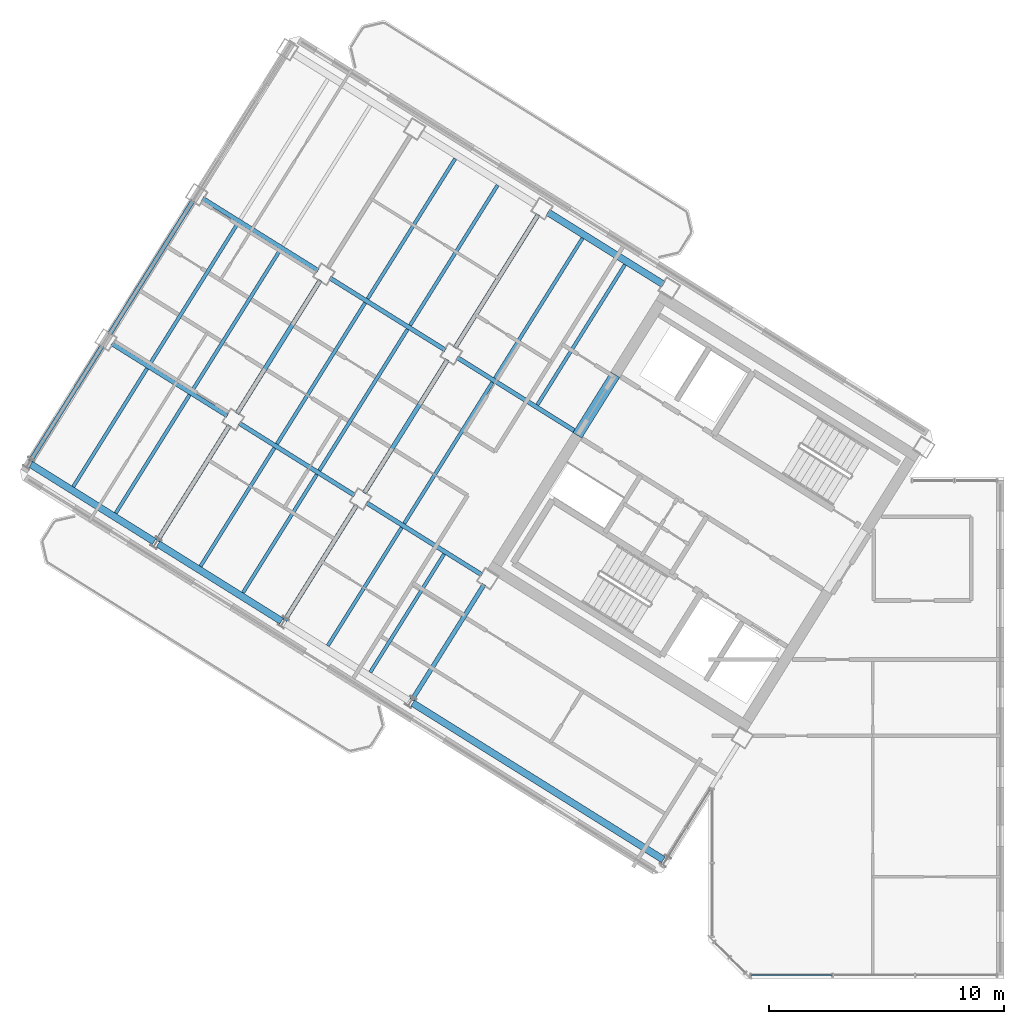
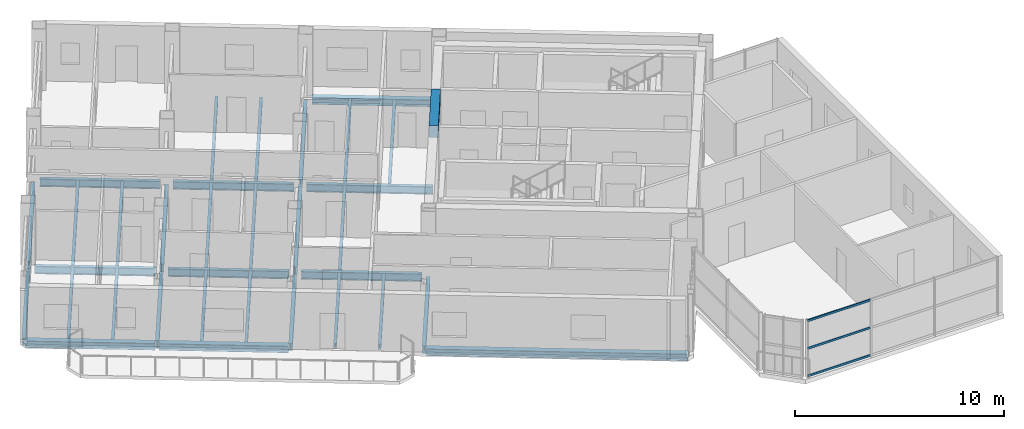
# One storey, part 4 of 17: 34 beams, 3 members, 1 element without a shape of its own.
"""IFC4 building model written with IfcOpenShell, lengths in metres."""

from ifc_helpers import new_model, si_unit, direction, frame, origin, origin_2d, place, context, subcontext, project, spatial, rectangle, hollow_rectangle, i_section, extrude, source, transform, mapped, material, material_profile, profile_set, type_object, element, aggregate, save


model = new_model("IFC4")

# Units and contexts
model_context = context("Model", 3, precision=1e-05, world=origin(), true_north=direction((0.0, 1.0)))
body_context = subcontext(model_context, "Body", "Model", "MODEL_VIEW")
ifc_project = project(units=[si_unit("LENGTHUNIT", "METRE"), si_unit("AREAUNIT", "SQUARE_METRE"), si_unit("VOLUMEUNIT", "CUBIC_METRE"), si_unit("PLANEANGLEUNIT", "RADIAN"), si_unit("MASSUNIT", "GRAM", prefix="KILO")], contexts=[model_context])

# Site, building, storey
site_placement = place(None, origin())
site = spatial("IfcSite", under=ifc_project, at=site_placement, CompositionType="ELEMENT")
building_placement = place(site_placement, origin())
building = spatial("IfcBuilding", under=site, at=building_placement, Name="Tlacorven Tower", CompositionType="ELEMENT")
storey_placement = place(building_placement, frame((0.0, 0.0, 270.0)))
storey = spatial("IfcBuildingStorey", under=building, at=storey_placement, Name="L68", CompositionType="ELEMENT", Elevation=270.0)

# Beams
ifc_material_1 = material(Name="Concrete C60/75", Category="concrete")
ifc_material_profile_1 = material_profile(ifc_material_1, rectangle(XDim=0.449951171875, YDim=0.699951171875, at=origin_2d()), Name="RC 450X700")
ifc_profile_set_1 = profile_set([ifc_material_profile_1], Name="Concrete C60/75")
beam_type_1 = type_object("IfcBeamType", Name="BM-LNT-700", PredefinedType="LINTEL", material=ifc_profile_set_1)
shared_shape_1 = source(origin(), body_context, "Body", "SweptSolid", [
    extrude(rectangle(XDim=0.449951171875, YDim=0.699951171875, at=origin_2d()), origin(), (0.0, 0.0, 1.0), 3.0498046875),
])
beam_1_placement = place(storey_placement, frame((27.622802734375, 27.562255859375, 3.0), z_axis=(-0.529926983584, -0.848043272522, 0.0), x_axis=(0.848043272522, -0.529926983584, 0.0)))
element("IfcBeam", 1, at=beam_1_placement, inside=storey, type_object=beam_type_1, Name="L68 W core coupling lintel beam E2", PredefinedType="LINTEL", context=body_context, shape_type="MappedRepresentation", body=[
    mapped(shared_shape_1, transform((0.0, 0.0, 0.0), scale=1.0)),
])
ifc_material_2 = material(Name="Steel S355J2", Category="steel")
ifc_material_profile_2 = material_profile(ifc_material_2, i_section(OverallWidth=0.300048828125, OverallDepth=0.389892578125, WebThickness=0.010986328125, FlangeThickness=0.01904296875, at=origin_2d()), Name="HEA 400")
ifc_profile_set_2 = profile_set([ifc_material_profile_2], Name="Steel S355J2")
beam_type_2 = type_object("IfcBeamType", Name="BM-SPN-400", PredefinedType="SPANDREL", material=ifc_profile_set_2)
shared_shape_2 = source(origin(), body_context, "Body", "SweptSolid", [
    extrude(i_section(OverallWidth=0.300048828125, OverallDepth=0.389892578125, WebThickness=0.010986328125, FlangeThickness=0.01904296875, at=origin_2d()), origin(), (0.0, 0.0, 1.0), 12.599853515625),
])
beam_2_placement = place(storey_placement, frame((29.67578125, 6.882080078125, -0.445068359375), z_axis=(-0.848045108756, 0.529924045043, 0.0), x_axis=(-0.529924045043, -0.848045108756, 0.0)))
element("IfcBeam", 2, at=beam_2_placement, inside=storey, type_object=beam_type_2, Name="L68 beam BM-L68-WL4-1", PredefinedType="SPANDREL", context=body_context, shape_type="MappedRepresentation", body=[
    mapped(shared_shape_2, transform((0.0, 0.0, 0.0), scale=1.0)),
])
shared_shape_3 = source(origin(), body_context, "Body", "SweptSolid", [
    extrude(i_section(OverallWidth=0.300048828125, OverallDepth=0.389892578125, WebThickness=0.010986328125, FlangeThickness=0.01904296875, at=origin_2d()), origin(), (0.0, 0.0, 1.0), 6.199951171875),
])
for number, where, z_axis, x_axis, name in (
    (3, (13.393310546875, 17.056396484375, -0.445068359375), (-0.848033697614, 0.529942306022, 0.0), (-0.529942306022, -0.848033697614, 0.0), "L68 beam BM-L68-WL4-4"),
    (4, (7.9658203125, 20.447998046875, -0.445068359375), (-0.848051394107, 0.529913986372, 0.0), (-0.529913986372, -0.848051394107, 0.0), "L68 beam BM-L68-WL4-5"),
):
    element("IfcBeam", number, at=place(storey_placement, frame(where, z_axis=z_axis, x_axis=x_axis)), inside=storey, type_object=beam_type_2, Name=name, PredefinedType="SPANDREL", context=body_context, shape_type="MappedRepresentation", body=[
        mapped(shared_shape_3, transform((0.0, 0.0, 0.0), scale=1.0)),
    ])
shared_shape_4 = source(origin(), body_context, "Body", "SweptSolid", [
    extrude(i_section(OverallWidth=0.300048828125, OverallDepth=0.389892578125, WebThickness=0.010986328125, FlangeThickness=0.01904296875, at=origin_2d()), origin(), (0.0, 0.0, 1.0), 5.800048828125),
])
beam_3_placement = place(storey_placement, frame((29.673583984375, 31.410400390625, -0.445068359375), z_axis=(-0.848052689693, 0.529911912967, 0.0), x_axis=(-0.529911912967, -0.848052689693, 0.0)))
element("IfcBeam", 5, at=beam_3_placement, inside=storey, type_object=beam_type_2, Name="L68 beam BM-L68-WL1-3", PredefinedType="SPANDREL", context=body_context, shape_type="MappedRepresentation", body=[
    mapped(shared_shape_4, transform((0.0, 0.0, 0.0), scale=1.0)),
])
ifc_material_profile_3 = material_profile(ifc_material_2, i_section(OverallWidth=0.14990234375, OverallDepth=0.300048828125, WebThickness=0.007080078125, FlangeThickness=0.0107421875, at=origin_2d()), Name="IPE 300")
ifc_profile_set_3 = profile_set([ifc_material_profile_3], Name="Steel S355J2")
beam_type_3 = type_object("IfcBeamType", Name="BM-JST-300", PredefinedType="JOIST", material=ifc_profile_set_3)
shared_shape_5 = source(origin(), body_context, "Body", "SweptSolid", [
    extrude(i_section(OverallWidth=0.14990234375, OverallDepth=0.300048828125, WebThickness=0.007080078125, FlangeThickness=0.0107421875, at=origin_2d()), origin(), (0.0, 0.0, 1.0), 7.10009765625),
])
for number, where, z_axis, x_axis, name in (
    (6, (22.38818359375, 27.23681640625, -0.39990234375), (-0.529915484902, -0.848050457733, 0.0), (0.848050457733, -0.529915484902, 0.0), "L68 beam BM-L68-WJ3-2-2"),
    (7, (11.533203125, 34.019775390625, -0.39990234375), (-0.529915484902, -0.848050457733, 0.0), (0.848050457733, -0.529915484902, 0.0), "L68 beam BM-L68-WJ5-2-2"),
):
    element("IfcBeam", number, at=place(storey_placement, frame(where, z_axis=z_axis, x_axis=x_axis)), inside=storey, type_object=beam_type_3, Name=name, PredefinedType="JOIST", context=body_context, shape_type="MappedRepresentation", body=[
        mapped(shared_shape_5, transform((0.0, 0.0, 0.0), scale=1.0)),
    ])
shared_shape_6 = source(origin(), body_context, "Body", "SweptSolid", [
    extrude(i_section(OverallWidth=0.14990234375, OverallDepth=0.300048828125, WebThickness=0.007080078125, FlangeThickness=0.0107421875, at=origin_2d()), origin(), (0.0, 0.0, 1.0), 7.099853515625),
])
for number, where, z_axis, x_axis, name in (
    (8, (18.769775390625, 29.497802734375, -0.39990234375), (-0.529890754507, -0.848065910344, 0.0), (0.848065910344, -0.529890754507, 0.0), "L68 beam BM-L68-WJ4-2-1"),
    (9, (16.960693359375, 30.628173828125, -0.39990234375), (-0.529930937954, -0.848040801494, 0.0), (0.848040801494, -0.529930937954, 0.0), "L68 beam BM-L68-WJ4-2-2"),
    (10, (13.34228515625, 32.88916015625, -0.39990234375), (-0.529930937954, -0.848040801494, 0.0), (0.848040801494, -0.529930937954, 0.0), "L68 beam BM-L68-WJ5-2-1"),
):
    element("IfcBeam", number, at=place(storey_placement, frame(where, z_axis=z_axis, x_axis=x_axis)), inside=storey, type_object=beam_type_3, Name=name, PredefinedType="JOIST", context=body_context, shape_type="MappedRepresentation", body=[
        mapped(shared_shape_6, transform((0.0, 0.0, 0.0), scale=1.0)),
    ])
shared_shape_7 = source(origin(), body_context, "Body", "SweptSolid", [
    extrude(i_section(OverallWidth=0.14990234375, OverallDepth=0.300048828125, WebThickness=0.007080078125, FlangeThickness=0.0107421875, at=origin_2d()), origin(), (0.0, 0.0, 1.0), 7.044921875),
])
for number, where, z_axis, x_axis, name in (
    (11, (28.03662109375, 32.25048828125, -0.39990234375), (-0.529899256491, -0.848060598053, 0.0), (0.848060598053, -0.529899256491, 0.0), "L68 beam BM-L68-WJ3-1-1"),
    (12, (26.2275390625, 33.380859375, -0.39990234375), (-0.529939753148, -0.848035292917, 0.0), (0.848035292917, -0.529939753148, 0.0), "L68 beam BM-L68-WJ3-1-2"),
    (13, (22.609130859375, 35.641845703125, -0.39990234375), (-0.52991483005, -0.848050866925, 0.0), (0.848050866925, -0.52991483005, 0.0), "L68 beam BM-L68-WJ4-1-1"),
):
    element("IfcBeam", number, at=place(storey_placement, frame(where, z_axis=z_axis, x_axis=x_axis)), inside=storey, type_object=beam_type_3, Name=name, PredefinedType="JOIST", context=body_context, shape_type="MappedRepresentation", body=[
        mapped(shared_shape_7, transform((0.0, 0.0, 0.0), scale=1.0)),
    ])
shared_shape_8 = source(origin(), body_context, "Body", "SweptSolid", [
    extrude(i_section(OverallWidth=0.14990234375, OverallDepth=0.300048828125, WebThickness=0.007080078125, FlangeThickness=0.0107421875, at=origin_2d()), origin(), (0.0, 0.0, 1.0), 5.945068359375),
])
for number, where, z_axis, x_axis, name in (
    (14, (20.3291015625, 19.91552734375, -0.39990234375), (-0.529914037113, -0.848051362401, 0.0), (0.848051362401, -0.529914037113, 0.0), "L68 beam BM-L68-WJ3-3-1"),
    (15, (18.519775390625, 21.046142578125, -0.39990234375), (-0.529914037113, -0.848051362401, 0.0), (0.848051362401, -0.529914037113, 0.0), "L68 beam BM-L68-WJ3-3-2"),
    (16, (14.9013671875, 23.30712890625, -0.39990234375), (-0.529884501938, -0.848069817059, 0.0), (0.848069817059, -0.529884501938, 0.0), "L68 beam BM-L68-WJ4-3-1"),
    (17, (9.473876953125, 26.698486328125, -0.39990234375), (-0.529914037113, -0.848051362401, 0.0), (0.848051362401, -0.529914037113, 0.0), "L68 beam BM-L68-WJ5-3-1"),
    (18, (7.664794921875, 27.8291015625, -0.39990234375), (-0.529914037113, -0.848051362401, 0.0), (0.848051362401, -0.529914037113, 0.0), "L68 beam BM-L68-WJ5-3-2"),
):
    element("IfcBeam", number, at=place(storey_placement, frame(where, z_axis=z_axis, x_axis=x_axis)), inside=storey, type_object=beam_type_3, Name=name, PredefinedType="JOIST", context=body_context, shape_type="MappedRepresentation", body=[
        mapped(shared_shape_8, transform((0.0, 0.0, 0.0), scale=1.0)),
    ])
shared_shape_9 = source(origin(), body_context, "Body", "SweptSolid", [
    extrude(i_section(OverallWidth=0.14990234375, OverallDepth=0.300048828125, WebThickness=0.007080078125, FlangeThickness=0.0107421875, at=origin_2d()), origin(), (0.0, 0.0, 1.0), 7.045166015625),
])
beam_4_placement = place(storey_placement, frame((20.800048828125, 36.7724609375, -0.39990234375), z_axis=(-0.529924179428, -0.848045024782, 0.0), x_axis=(0.848045024782, -0.529924179428, 0.0)))
element("IfcBeam", 19, at=beam_4_placement, inside=storey, type_object=beam_type_3, Name="L68 beam BM-L68-WJ4-1-2", PredefinedType="JOIST", context=body_context, shape_type="MappedRepresentation", body=[
    mapped(shared_shape_9, transform((0.0, 0.0, 0.0), scale=1.0)),
])
shared_shape_10 = source(origin(), body_context, "Body", "SweptSolid", [
    extrude(i_section(OverallWidth=0.14990234375, OverallDepth=0.300048828125, WebThickness=0.007080078125, FlangeThickness=0.0107421875, at=origin_2d()), origin(), (0.0, 0.0, 1.0), 5.94482421875),
])
beam_5_placement = place(storey_placement, frame((13.09228515625, 24.4375, -0.39990234375), z_axis=(-0.529932492401, -0.848039830136, 0.0), x_axis=(0.848039830136, -0.529932492401, 0.0)))
element("IfcBeam", 20, at=beam_5_placement, inside=storey, type_object=beam_type_3, Name="L68 beam BM-L68-WJ4-3-2", PredefinedType="JOIST", context=body_context, shape_type="MappedRepresentation", body=[
    mapped(shared_shape_10, transform((0.0, 0.0, 0.0), scale=1.0)),
])
ifc_material_profile_4 = material_profile(ifc_material_2, i_section(OverallWidth=0.18994140625, OverallDepth=0.449951171875, WebThickness=0.009521484375, FlangeThickness=0.0146484375, at=origin_2d()), Name="IPE 450")
ifc_profile_set_4 = profile_set([ifc_material_profile_4], Name="Steel S355J2")
beam_type_4 = type_object("IfcBeamType", Name="BM-TWR-450", PredefinedType="BEAM", material=ifc_profile_set_4)
shared_shape_11 = source(origin(), body_context, "Body", "SweptSolid", [
    extrude(i_section(OverallWidth=0.18994140625, OverallDepth=0.449951171875, WebThickness=0.009521484375, FlangeThickness=0.0146484375, at=origin_2d()), origin(), (0.0, 0.0, 1.0), 6.06005859375),
])
beam_6_placement = place(storey_placement, frame((26.025634765625, 25.081787109375, -0.47509765625), z_axis=(-0.848039041052, 0.529933755154, 0.0), x_axis=(-0.529933755154, -0.848039041052, 0.0)))
element("IfcBeam", 21, at=beam_6_placement, inside=storey, type_object=beam_type_4, Name="L68 beam BM-L68-WL2-3", PredefinedType="BEAM", context=body_context, shape_type="MappedRepresentation", body=[
    mapped(shared_shape_11, transform((0.0, 0.0, 0.0), scale=1.0)),
])
shared_shape_12 = source(origin(), body_context, "Body", "SweptSolid", [
    extrude(i_section(OverallWidth=0.18994140625, OverallDepth=0.449951171875, WebThickness=0.009521484375, FlangeThickness=0.0146484375, at=origin_2d()), origin(), (0.0, 0.0, 1.0), 5.800048828125),
])
for number, where, z_axis, x_axis, name in (
    (22, (20.377685546875, 28.611083984375, -0.47509765625), (-0.848052689693, 0.529911912967, 0.0), (-0.529911912967, -0.848052689693, 0.0), "L68 beam BM-L68-WL2-4"),
    (23, (14.9501953125, 32.00244140625, -0.47509765625), (-0.848033773154, 0.52994218514, 0.0), (-0.52994218514, -0.848033773154, 0.0), "L68 beam BM-L68-WL2-5"),
    (24, (21.936767578125, 19.02880859375, -0.47509765625), (-0.848052689693, 0.529911912967, 0.0), (-0.529911912967, -0.848052689693, 0.0), "L68 beam BM-L68-WL3-3"),
    (25, (16.50927734375, 22.42041015625, -0.47509765625), (-0.848052689693, 0.529911912967, 0.0), (-0.529911912967, -0.848052689693, 0.0), "L68 beam BM-L68-WL3-4"),
    (26, (11.081787109375, 25.811767578125, -0.47509765625), (-0.848052689693, 0.529911912967, 0.0), (-0.529911912967, -0.848052689693, 0.0), "L68 beam BM-L68-WL3-5"),
    (27, (22.0322265625, 18.615478515625, -0.47509765625), (-0.52994218514, -0.848033773154, 0.0), (0.848033773154, -0.52994218514, 0.0), "L68 beam BM-L68-WT3-2"),
    (28, (16.604736328125, 22.0068359375, -0.47509765625), (-0.52994218514, -0.848033773154, 0.0), (0.848033773154, -0.52994218514, 0.0), "L68 beam BM-L68-WT4-3"),
    (29, (11.17724609375, 25.3984375, -0.47509765625), (-0.52994218514, -0.848033773154, 0.0), (0.848033773154, -0.52994218514, 0.0), "L68 beam BM-L68-WT5-3"),
    (30, (5.74951171875, 28.789794921875, -0.47509765625), (-0.529911912967, -0.848052689693, 0.0), (0.848052689693, -0.529911912967, 0.0), "L68 beam BM-L68-WT6-3"),
):
    element("IfcBeam", number, at=place(storey_placement, frame(where, z_axis=z_axis, x_axis=x_axis)), inside=storey, type_object=beam_type_4, Name=name, PredefinedType="BEAM", context=body_context, shape_type="MappedRepresentation", body=[
        mapped(shared_shape_12, transform((0.0, 0.0, 0.0), scale=1.0)),
    ])
shared_shape_13 = source(origin(), body_context, "Body", "SweptSolid", [
    extrude(i_section(OverallWidth=0.18994140625, OverallDepth=0.449951171875, WebThickness=0.009521484375, FlangeThickness=0.0146484375, at=origin_2d()), origin(), (0.0, 0.0, 1.0), 6.699951171875),
])
for number, where, z_axis, x_axis, name in (
    (31, (24.341552734375, 34.388427734375, -0.47509765625), (-0.529930154818, -0.848041290867, 0.0), (0.848041290867, -0.529930154818, 0.0), "L68 beam BM-L68-WT4-1"),
    (32, (20.47314453125, 28.19775390625, -0.47509765625), (-0.529930154818, -0.848041290867, 0.0), (0.848041290867, -0.529930154818, 0.0), "L68 beam BM-L68-WT4-2"),
    (33, (15.045654296875, 31.589111328125, -0.47509765625), (-0.529930154818, -0.848041290867, 0.0), (0.848041290867, -0.529930154818, 0.0), "L68 beam BM-L68-WT5-2"),
    (34, (9.617919921875, 34.980712890625, -0.47509765625), (-0.529903948186, -0.848057666493, 0.0), (0.848057666493, -0.529903948186, 0.0), "L68 beam BM-L68-WT6-2"),
):
    element("IfcBeam", number, at=place(storey_placement, frame(where, z_axis=z_axis, x_axis=x_axis)), inside=storey, type_object=beam_type_4, Name=name, PredefinedType="BEAM", context=body_context, shape_type="MappedRepresentation", body=[
        mapped(shared_shape_13, transform((0.0, 0.0, 0.0), scale=1.0)),
    ])

# Curtain wall, members
ifc_material_3 = material(Name="Dark solar low-E double glazing in aluminium frame", Category="aluminium")
curtain_wall_type = type_object("IfcCurtainWallType", Name="CW-TWR-HIGH", PredefinedType="USERDEFINED", material=ifc_material_3)
curtain_wall_placement = place(storey_placement, origin())
curtain_wall = element("IfcCurtainWall", 35, at=curtain_wall_placement, inside=storey, type_object=curtain_wall_type, Name="L68 CW-TWR-HIGH Curtain Wall 314", ObjectType="UNITISED CURTAIN WALL", PredefinedType="USERDEFINED")
ifc_material_4 = material(Name="Aluminium 6063-T6 anodised", Category="aluminium")
ifc_material_profile_5 = material_profile(ifc_material_4, hollow_rectangle(XDim=0.054931640625, YDim=0.1201171875, WallThickness=0.00341796875, at=origin_2d()), Name="ALU TRANSOM 55X120")
ifc_profile_set_5 = profile_set([ifc_material_profile_5], Name="Aluminium 6063-T6 anodised")
member_type = type_object("IfcMemberType", Name="CWT-03", PredefinedType="USERDEFINED", material=ifc_profile_set_5)
shared_shape_14 = source(origin(), body_context, "Body", "SweptSolid", [
    extrude(hollow_rectangle(XDim=0.054931640625, YDim=0.1201171875, WallThickness=0.00341796875, at=origin_2d()), origin(), (0.0, 0.0, 1.0), 3.45849609375),
])
member_1_placement = place(storey_placement, frame((36.872802734375, 1.9599609375, 0.06005859375), z_axis=(-1.0, 0.0, 0.0), x_axis=(0.0, -1.0, 0.0)))
member_1 = element("IfcMember", 36, at=member_1_placement, type_object=member_type, Name="CW-L68-314 Transom 7", ObjectType="TRANSOM", PredefinedType="USERDEFINED", context=body_context, shape_type="MappedRepresentation", body=[
    mapped(shared_shape_14, transform((0.0, 0.0, 0.0), scale=1.0)),
])
member_2_placement = place(storey_placement, frame((36.872802734375, 1.9599609375, 1.675048828125), z_axis=(-1.0, 0.0, 0.0), x_axis=(0.0, -1.0, 0.0)))
member_2 = element("IfcMember", 37, at=member_2_placement, type_object=member_type, Name="CW-L68-314 Transom 8", ObjectType="TRANSOM", PredefinedType="USERDEFINED", context=body_context, shape_type="MappedRepresentation", body=[
    mapped(shared_shape_14, transform((0.0, 0.0, 0.0), scale=1.0)),
])
member_3_placement = place(storey_placement, frame((36.872802734375, 1.9599609375, 3.2900390625), z_axis=(-1.0, 0.0, 0.0), x_axis=(0.0, -1.0, 0.0)))
member_3 = element("IfcMember", 38, at=member_3_placement, type_object=member_type, Name="CW-L68-314 Transom 9", ObjectType="TRANSOM", PredefinedType="USERDEFINED", context=body_context, shape_type="MappedRepresentation", body=[
    mapped(shared_shape_14, transform((0.0, 0.0, 0.0), scale=1.0)),
])
aggregate(curtain_wall, [member_1, member_2, member_3])

save(model, "model.ifc")
